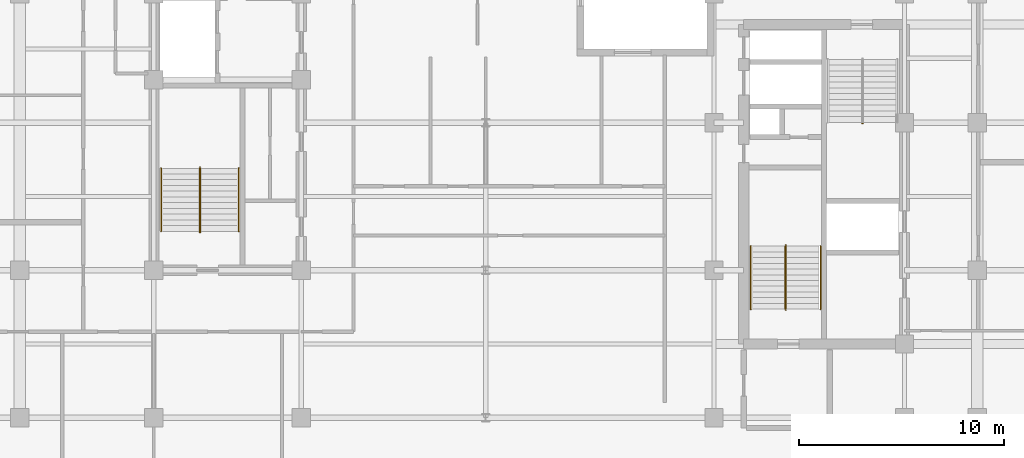
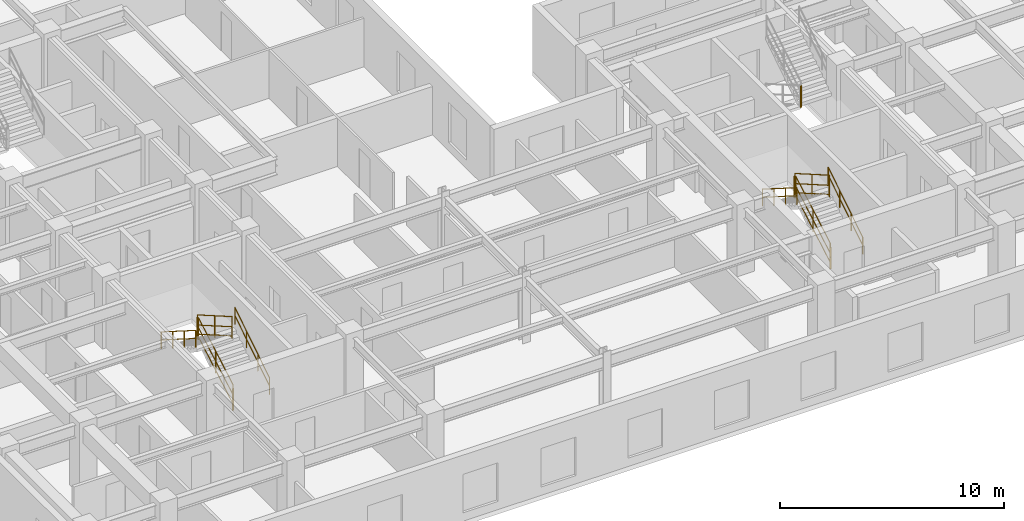
# One storey, part 9 of 11: 13 railings.
"""IFC4 building model written with IfcOpenShell, lengths in metres."""

import ifcopenshell
import ifcopenshell.guid

model = None  # the IFC model being written
_history = None  # IfcOwnerHistory: only IFC2X3 demands one
_inside = {}  # id of a spatial element -> (the spatial element, [elements in it])
_under = {}  # id of a project, library or spatial element -> (it, [spatial elements below it])
_declared = {}  # id of a project -> (the project, [libraries it declares])
_typed = {}  # id of a type object -> (the type object, [elements of that type])
_made_of = {}  # id of a material, layer set ... -> (it, [elements and type objects made of it])


def new_model(schema):
    """Start an empty IFC model of exactly this schema.

    Asked for "IFC4X3", IfcOpenShell would pick the latest addendum, in which some entities
    have other attributes; the version numbers below select the first issue.
    IFC2X3 requires an IfcOwnerHistory on every rooted entity: one is made here for all.
    """
    global model, _history
    if schema == "IFC4X3":
        model = ifcopenshell.file(schema_version=(4, 3, 0, 0))
    else:
        model = ifcopenshell.file(schema=schema)
    _inside.clear()
    _under.clear()
    _declared.clear()
    _typed.clear()
    _made_of.clear()
    _history = None
    if model.schema == "IFC2X3":
        org = make("IfcOrganization", Name="unknown")
        user = make(
            "IfcPersonAndOrganization",
            ThePerson=make("IfcPerson", FamilyName="unknown"),
            TheOrganization=org,
        )
        app = make(
            "IfcApplication",
            ApplicationDeveloper=org,
            Version="unknown",
            ApplicationFullName="unknown",
            ApplicationIdentifier="unknown",
        )
        _history = make(
            "IfcOwnerHistory",
            OwningUser=user,
            OwningApplication=app,
            ChangeAction="ADDED",
            CreationDate=0,
        )
    return model


def make(cls, **values):
    """One entity of the class cls with the attributes given. An attribute that is None is left unset."""
    return model.create_entity(
        cls, **{name: value for name, value in values.items() if value is not None}
    )


def entity(cls, *values):
    """Any entity or typed value of the class cls, its attributes in the order of the schema. None: left unset."""
    e = model.create_entity(cls)
    for i, value in enumerate(values):
        if value is not None:
            e[i] = value
    return e


def rooted(cls, **values):
    """An entity with a GlobalId (a new one), such as an element, a storey or a relation."""
    return make(cls, GlobalId=ifcopenshell.guid.new(), OwnerHistory=_history, **values)


def si_unit(unit_type, name, prefix=None):
    """IfcSIUnit, for example si_unit("LENGTHUNIT", "METRE", prefix="MILLI")."""
    return make("IfcSIUnit", UnitType=unit_type, Prefix=prefix, Name=name)


def converted_unit(unit_type, name, factor, base, dimensions=None, offset=None):
    """IfcConversionBasedUnit, such as the inch: factor (a typed value) times the base unit."""
    return make(
        "IfcConversionBasedUnit"
        if offset is None
        else "IfcConversionBasedUnitWithOffset",
        ConversionOffset=offset,
        Dimensions=None
        if dimensions is None
        else entity("IfcDimensionalExponents", *dimensions),
        UnitType=unit_type,
        Name=name,
        ConversionFactor=make(
            "IfcMeasureWithUnit", ValueComponent=factor, UnitComponent=base
        ),
    )


def assignment(units):
    """IfcUnitAssignment: the units of a project."""
    return None if units is None else make("IfcUnitAssignment", Units=units)


def point(xyz):
    """IfcCartesianPoint."""
    return None if xyz is None else make("IfcCartesianPoint", Coordinates=xyz)


def direction(xyz):
    """IfcDirection."""
    return None if xyz is None else make("IfcDirection", DirectionRatios=xyz)


def frame(location, z_axis=None, x_axis=None):
    """IfcAxis2Placement3D, a coordinate frame: its origin and axes. An axis left out is left unset."""
    return make(
        "IfcAxis2Placement3D",
        Location=point(location),
        Axis=direction(z_axis),
        RefDirection=direction(x_axis),
    )


def frame_2d(location, x_axis=None):
    """IfcAxis2Placement2D, a coordinate frame in the plane: its origin and x axis."""
    return make(
        "IfcAxis2Placement2D", Location=point(location), RefDirection=direction(x_axis)
    )


def origin_with_axes():
    """The frame at (0, 0, 0) with the z axis (0, 0, 1) and the x axis (1, 0, 0) written out."""
    return frame((0.0, 0.0, 0.0), z_axis=(0.0, 0.0, 1.0), x_axis=(1.0, 0.0, 0.0))


def origin_2d_with_axis():
    """The frame at (0, 0) in the plane with the x axis (1, 0) written out."""
    return frame_2d((0.0, 0.0), x_axis=(1.0, 0.0))


def place(relative_to, where):
    """IfcLocalPlacement: puts the frame where relative to a parent placement (None: the world)."""
    return make(
        "IfcLocalPlacement", PlacementRelTo=relative_to, RelativePlacement=where
    )


def context(
    kind, dimensions, precision=None, world=None, true_north=None, identifier=None
):
    """IfcGeometricRepresentationContext, for example the 3D "Model" context."""
    return make(
        "IfcGeometricRepresentationContext",
        ContextIdentifier=identifier,
        ContextType=kind,
        CoordinateSpaceDimension=dimensions,
        Precision=precision,
        WorldCoordinateSystem=world,
        TrueNorth=true_north,
    )


def subcontext(parent, identifier, kind, view, scale=None):
    """IfcGeometricRepresentationSubContext, for example "Body" below "Model"."""
    return make(
        "IfcGeometricRepresentationSubContext",
        ContextIdentifier=identifier,
        ContextType=kind,
        ParentContext=parent,
        TargetScale=scale,
        TargetView=view,
    )


def project(units=None, contexts=None):
    """IfcProject with its units and contexts."""
    return rooted(
        "IfcProject",
        Name="project",
        RepresentationContexts=contexts,
        UnitsInContext=assignment(units),
    )


def spatial(cls, under=None, at=None, **own):
    """A site, building, storey or space (cls), placed at a placement, below another one or the project."""
    s = rooted(cls, ObjectPlacement=at, **own)
    if under is not None:
        _under.setdefault(under.id(), (under, []))[1].append(s)
    return s


def profile(cls, at=None, kind="AREA", **sizes):
    """A parametric profile (cls). Its sizes go by their IFC names, for example OverallWidth=200.0."""
    return make(cls, ProfileType=kind, Position=at, **sizes)


def rectangle(**sizes):
    """IfcRectangleProfileDef."""
    return profile("IfcRectangleProfileDef", **sizes)


def circle(**sizes):
    """IfcCircleProfileDef."""
    return profile("IfcCircleProfileDef", **sizes)


def extrude(swept, where, along, depth):
    """IfcExtrudedAreaSolid: the profile swept, set in the frame where, extruded along a direction by depth."""
    return make(
        "IfcExtrudedAreaSolid",
        SweptArea=swept,
        Position=where,
        ExtrudedDirection=direction(along),
        Depth=depth,
    )


def shape(context_of_items, identifier, shape_type, items):
    """IfcShapeRepresentation: the items that make up one representation, for example the "Body"."""
    return make(
        "IfcShapeRepresentation",
        ContextOfItems=context_of_items,
        RepresentationIdentifier=identifier,
        RepresentationType=shape_type,
        Items=items,
    )


def material(Name=None, Category=None):
    """IfcMaterial."""
    return make("IfcMaterial", Name=Name, Category=Category)


def made_of(thing, what):
    """Note that an element or type object is made of a material, layer set ...; save() writes the relation."""
    if what is not None:
        _made_of.setdefault(what.id(), (what, []))[1].append(thing)
    return thing


def type_object(cls, material=None, **own):
    """A type object (cls), such as IfcWallType, which elements share."""
    return made_of(rooted(cls, **own), material)


def element(
    cls,
    number,
    at=None,
    inside=None,
    cuts=None,
    type_object=None,
    material=None,
    context=None,
    identifier="Body",
    shape_type=None,
    held_by="IfcProductDefinitionShape",
    body=None,
    shapes=None,
    **own,
):
    """One element of the class cls, such as IfcWall. Its Tag is "e" and its number.

    at: its placement. inside: the storey or other place that contains it. cuts: it is an
    opening in that element (IfcRelVoidsElement). A single representation is given by context,
    identifier, shape_type and body (its items); several are given by shapes. held_by: the class
    of the entity that holds the representations. save() writes the other relations.
    """
    e = rooted(cls, Tag="e%d" % number, ObjectPlacement=at, **own)
    if body is not None:
        shapes = [shape(context, identifier, shape_type, body)]
    if shapes is not None:
        e.Representation = make(held_by, Representations=shapes)
    if inside is not None:
        _inside.setdefault(inside.id(), (inside, []))[1].append(e)
    if cuts is not None:
        rooted(
            "IfcRelVoidsElement", RelatingBuildingElement=cuts, RelatedOpeningElement=e
        )
    if type_object is not None:
        _typed.setdefault(type_object.id(), (type_object, []))[1].append(e)
    return made_of(e, material)


def aggregate(whole, parts):
    """IfcRelAggregates: a whole, such as a stair, and the parts it consists of."""
    return rooted("IfcRelAggregates", RelatingObject=whole, RelatedObjects=parts)


def save(model, path):
    """Write the relations noted so far, then the file.

    IfcRelAggregates (storeys below a building ...), IfcRelContainedInSpatialStructure (elements
    in a storey), IfcRelDefinesByType, IfcRelAssociatesMaterial and IfcRelDeclares: one each for
    every whole, place, type object, material and project.
    """
    for whole, parts in _under.values():
        aggregate(whole, parts)
    for where, things in _inside.values():
        rooted(
            "IfcRelContainedInSpatialStructure",
            RelatedElements=things,
            RelatingStructure=where,
        )
    for kind, things in _typed.values():
        rooted("IfcRelDefinesByType", RelatedObjects=things, RelatingType=kind)
    for what, things in _made_of.values():
        rooted("IfcRelAssociatesMaterial", RelatedObjects=things, RelatingMaterial=what)
    for by, libraries in _declared.values():
        rooted("IfcRelDeclares", RelatingContext=by, RelatedDefinitions=libraries)
    model.write(path)


model = new_model("IFC4")

# Units and contexts
model_context = context("Model", 3, precision=1e-05, world=origin_with_axes(), true_north=direction((0.0, 1.0)))
body_context = subcontext(model_context, "Body", "Model", "MODEL_VIEW")
ifc_project = project(units=[si_unit("LENGTHUNIT", "METRE"), si_unit("AREAUNIT", "SQUARE_METRE"), si_unit("VOLUMEUNIT", "CUBIC_METRE"), converted_unit("PLANEANGLEUNIT", "DEGREE", entity("IfcPlaneAngleMeasure", 0.017453292519943295), si_unit("PLANEANGLEUNIT", "RADIAN"), dimensions=[0, 0, 0, 0, 0, 0, 0]), si_unit("MASSUNIT", "GRAM", prefix="KILO"), si_unit("THERMODYNAMICTEMPERATUREUNIT", "KELVIN")], contexts=[model_context])

# Site, building, storey
site_placement = place(None, origin_with_axes())
site = spatial("IfcSite", under=ifc_project, at=site_placement, CompositionType="ELEMENT")
building_placement = place(site_placement, origin_with_axes())
building = spatial("IfcBuilding", under=site, at=building_placement, Name="Varnlund Millrace Tower", CompositionType="ELEMENT")
storey_placement = place(building_placement, frame((0.0, 0.0, 216.0), z_axis=(0.0, 0.0, 1.0), x_axis=(1.0, 0.0, 0.0)))
storey = spatial("IfcBuildingStorey", under=building, at=storey_placement, Name="L53", CompositionType="ELEMENT", Elevation=216.0)

# Railings
ifc_material_1 = material(Name="Painted steel stair well balustrade guard", Category="steel")
railing_type_1 = type_object("IfcRailingType", Name="Type-StairGuard-1150", PredefinedType="GUARDRAIL", material=ifc_material_1)
railing_1_placement = place(storey_placement, frame((0.0, 0.0, -216.0), z_axis=(0.0, 0.0, 1.0), x_axis=(1.0, 0.0, 0.0)))
element("IfcRailing", 1, at=railing_1_placement, inside=storey, type_object=railing_type_1, Name="Type-StairGuard-1150", PredefinedType="GUARDRAIL", context=body_context, shape_type="SweptSolid", body=[
    extrude(circle(Radius=0.024, at=origin_2d_with_axis()), frame((13.675, 12.7, 217.327273), z_axis=(0.0, 0.866696, 0.498836), x_axis=(-1.0, 0.0, 0.0)), (0.0, 0.0, 1.0), 3.553725),
    extrude(circle(Radius=0.024, at=origin_2d_with_axis()), frame((13.675, 12.7, 216.277273), z_axis=(0.0, 0.866696, 0.498836), x_axis=(-1.0, 0.0, 0.0)), (0.0, 0.0, 1.0), 3.553725),
    extrude(circle(Radius=0.024, at=origin_2d_with_axis()), frame((13.675, 12.7, 216.775273), z_axis=(0.0, 0.866696, 0.498836), x_axis=(-1.0, 0.0, 0.0)), (0.0, 0.0, 1.0), 3.553725),
    extrude(rectangle(XDim=0.04, YDim=0.04, at=origin_2d_with_axis()), frame((13.675, 12.7, 216.137273), z_axis=(0.0, 0.0, 1.0), x_axis=(1.0, 0.0, 0.0)), (0.0, 0.0, 1.0), 1.19),
    extrude(rectangle(XDim=0.04, YDim=0.04, at=origin_2d_with_axis()), frame((13.675, 14.24, 217.023637), z_axis=(0.0, 0.0, 1.0), x_axis=(1.0, 0.0, 0.0)), (0.0, 0.0, 1.0), 1.19),
    extrude(rectangle(XDim=0.04, YDim=0.04, at=origin_2d_with_axis()), frame((13.675, 15.78, 217.91), z_axis=(0.0, 0.0, 1.0), x_axis=(1.0, 0.0, 0.0)), (0.0, 0.0, 1.0), 1.19),
])
railing_2_placement = place(storey_placement, frame((0.0, 0.0, -216.0), z_axis=(0.0, 0.0, 1.0), x_axis=(1.0, 0.0, 0.0)))
element("IfcRailing", 2, at=railing_2_placement, inside=storey, type_object=railing_type_1, Name="Type-StairGuard-1150", PredefinedType="GUARDRAIL", context=body_context, shape_type="SweptSolid", body=[
    extrude(circle(Radius=0.024, at=origin_2d_with_axis()), frame((13.625, 15.83, 219.1), z_axis=(1.0, 0.0, 0.0), x_axis=(0.0, 1.0, 0.0)), (0.0, 0.0, 1.0), 0.05),
    extrude(circle(Radius=0.024, at=origin_2d_with_axis()), frame((13.625, 15.83, 218.05), z_axis=(1.0, 0.0, 0.0), x_axis=(0.0, 1.0, 0.0)), (0.0, 0.0, 1.0), 0.05),
    extrude(circle(Radius=0.024, at=origin_2d_with_axis()), frame((13.625, 15.83, 218.548), z_axis=(1.0, 0.0, 0.0), x_axis=(0.0, 1.0, 0.0)), (0.0, 0.0, 1.0), 0.05),
    extrude(rectangle(XDim=0.04, YDim=0.04, at=origin_2d_with_axis()), frame((13.625, 15.83, 217.91), z_axis=(0.0, 0.0, 1.0), x_axis=(1.0, 0.0, 0.0)), (0.0, 0.0, 1.0), 1.19),
    extrude(rectangle(XDim=0.04, YDim=0.04, at=origin_2d_with_axis()), frame((13.675, 15.83, 217.91), z_axis=(0.0, 0.0, 1.0), x_axis=(1.0, 0.0, 0.0)), (0.0, 0.0, 1.0), 1.19),
])
railing_3_placement = place(storey_placement, frame((0.0, 0.0, -216.0), z_axis=(0.0, 0.0, 1.0), x_axis=(1.0, 0.0, 0.0)))
element("IfcRailing", 3, at=railing_3_placement, inside=storey, type_object=railing_type_1, Name="Type-StairGuard-1150", PredefinedType="GUARDRAIL", context=body_context, shape_type="SweptSolid", body=[
    extrude(circle(Radius=0.024, at=origin_2d_with_axis()), frame((13.625, 15.78, 219.277273), z_axis=(0.0, -0.866696, 0.498836), x_axis=(1.0, 0.0, 0.0)), (0.0, 0.0, 1.0), 3.553725),
    extrude(circle(Radius=0.024, at=origin_2d_with_axis()), frame((13.625, 15.78, 218.227273), z_axis=(0.0, -0.866696, 0.498836), x_axis=(1.0, 0.0, 0.0)), (0.0, 0.0, 1.0), 3.553725),
    extrude(circle(Radius=0.024, at=origin_2d_with_axis()), frame((13.625, 15.78, 218.725273), z_axis=(0.0, -0.866696, 0.498836), x_axis=(1.0, 0.0, 0.0)), (0.0, 0.0, 1.0), 3.553725),
    extrude(rectangle(XDim=0.04, YDim=0.04, at=origin_2d_with_axis()), frame((13.625, 15.78, 218.087273), z_axis=(0.0, 0.0, 1.0), x_axis=(1.0, 0.0, 0.0)), (0.0, 0.0, 1.0), 1.19),
    extrude(rectangle(XDim=0.04, YDim=0.04, at=origin_2d_with_axis()), frame((13.625, 14.24, 218.973637), z_axis=(0.0, 0.0, 1.0), x_axis=(1.0, 0.0, 0.0)), (0.0, 0.0, 1.0), 1.19),
    extrude(rectangle(XDim=0.04, YDim=0.04, at=origin_2d_with_axis()), frame((13.625, 12.7, 219.86), z_axis=(0.0, 0.0, 1.0), x_axis=(1.0, 0.0, 0.0)), (0.0, 0.0, 1.0), 1.19),
])
railing_4_placement = place(storey_placement, frame((0.0, 0.0, -216.0), z_axis=(0.0, 0.0, 1.0), x_axis=(1.0, 0.0, 0.0)))
element("IfcRailing", 4, at=railing_4_placement, inside=storey, type_object=railing_type_1, Name="Type-StairGuard-1150", PredefinedType="GUARDRAIL", context=body_context, shape_type="SweptSolid", body=[
    extrude(circle(Radius=0.024, at=origin_2d_with_axis()), frame((13.625, 12.65, 217.15), z_axis=(1.0, 0.0, 0.0), x_axis=(0.0, 1.0, 0.0)), (0.0, 0.0, 1.0), 0.05),
    extrude(circle(Radius=0.024, at=origin_2d_with_axis()), frame((13.625, 12.65, 216.1), z_axis=(1.0, 0.0, 0.0), x_axis=(0.0, 1.0, 0.0)), (0.0, 0.0, 1.0), 0.05),
    extrude(circle(Radius=0.024, at=origin_2d_with_axis()), frame((13.625, 12.65, 216.598), z_axis=(1.0, 0.0, 0.0), x_axis=(0.0, 1.0, 0.0)), (0.0, 0.0, 1.0), 0.05),
    extrude(rectangle(XDim=0.04, YDim=0.04, at=origin_2d_with_axis()), frame((13.625, 12.65, 215.96), z_axis=(0.0, 0.0, 1.0), x_axis=(1.0, 0.0, 0.0)), (0.0, 0.0, 1.0), 1.19),
    extrude(rectangle(XDim=0.04, YDim=0.04, at=origin_2d_with_axis()), frame((13.675, 12.65, 215.96), z_axis=(0.0, 0.0, 1.0), x_axis=(1.0, 0.0, 0.0)), (0.0, 0.0, 1.0), 1.19),
])
railing_5_placement = place(storey_placement, frame((0.0, 0.0, -216.0), z_axis=(0.0, 0.0, 1.0), x_axis=(1.0, 0.0, 0.0)))
element("IfcRailing", 5, at=railing_5_placement, inside=storey, type_object=railing_type_1, Name="Type-StairGuard-1150", PredefinedType="GUARDRAIL", context=body_context, shape_type="SweptSolid", body=[
    extrude(circle(Radius=0.024, at=origin_2d_with_axis()), frame((42.275, 8.9, 217.327273), z_axis=(0.0, 0.866696, 0.498836), x_axis=(-1.0, 0.0, 0.0)), (0.0, 0.0, 1.0), 3.553725),
    extrude(circle(Radius=0.024, at=origin_2d_with_axis()), frame((42.275, 8.9, 216.277273), z_axis=(0.0, 0.866696, 0.498836), x_axis=(-1.0, 0.0, 0.0)), (0.0, 0.0, 1.0), 3.553725),
    extrude(circle(Radius=0.024, at=origin_2d_with_axis()), frame((42.275, 8.9, 216.775273), z_axis=(0.0, 0.866696, 0.498836), x_axis=(-1.0, 0.0, 0.0)), (0.0, 0.0, 1.0), 3.553725),
    extrude(rectangle(XDim=0.04, YDim=0.04, at=origin_2d_with_axis()), frame((42.275, 8.9, 216.137273), z_axis=(0.0, 0.0, 1.0), x_axis=(1.0, 0.0, 0.0)), (0.0, 0.0, 1.0), 1.19),
    extrude(rectangle(XDim=0.04, YDim=0.04, at=origin_2d_with_axis()), frame((42.275, 10.44, 217.023637), z_axis=(0.0, 0.0, 1.0), x_axis=(1.0, 0.0, 0.0)), (0.0, 0.0, 1.0), 1.19),
    extrude(rectangle(XDim=0.04, YDim=0.04, at=origin_2d_with_axis()), frame((42.275, 11.98, 217.91), z_axis=(0.0, 0.0, 1.0), x_axis=(1.0, 0.0, 0.0)), (0.0, 0.0, 1.0), 1.19),
])
railing_6_placement = place(storey_placement, frame((0.0, 0.0, -216.0), z_axis=(0.0, 0.0, 1.0), x_axis=(1.0, 0.0, 0.0)))
element("IfcRailing", 6, at=railing_6_placement, inside=storey, type_object=railing_type_1, Name="Type-StairGuard-1150", PredefinedType="GUARDRAIL", context=body_context, shape_type="SweptSolid", body=[
    extrude(circle(Radius=0.024, at=origin_2d_with_axis()), frame((42.225, 12.03, 219.1), z_axis=(1.0, 0.0, 0.0), x_axis=(0.0, 1.0, 0.0)), (0.0, 0.0, 1.0), 0.05),
    extrude(circle(Radius=0.024, at=origin_2d_with_axis()), frame((42.225, 12.03, 218.05), z_axis=(1.0, 0.0, 0.0), x_axis=(0.0, 1.0, 0.0)), (0.0, 0.0, 1.0), 0.05),
    extrude(circle(Radius=0.024, at=origin_2d_with_axis()), frame((42.225, 12.03, 218.548), z_axis=(1.0, 0.0, 0.0), x_axis=(0.0, 1.0, 0.0)), (0.0, 0.0, 1.0), 0.05),
    extrude(rectangle(XDim=0.04, YDim=0.04, at=origin_2d_with_axis()), frame((42.225, 12.03, 217.91), z_axis=(0.0, 0.0, 1.0), x_axis=(1.0, 0.0, 0.0)), (0.0, 0.0, 1.0), 1.19),
    extrude(rectangle(XDim=0.04, YDim=0.04, at=origin_2d_with_axis()), frame((42.275, 12.03, 217.91), z_axis=(0.0, 0.0, 1.0), x_axis=(1.0, 0.0, 0.0)), (0.0, 0.0, 1.0), 1.19),
])
railing_7_placement = place(storey_placement, frame((0.0, 0.0, -216.0), z_axis=(0.0, 0.0, 1.0), x_axis=(1.0, 0.0, 0.0)))
element("IfcRailing", 7, at=railing_7_placement, inside=storey, type_object=railing_type_1, Name="Type-StairGuard-1150", PredefinedType="GUARDRAIL", context=body_context, shape_type="SweptSolid", body=[
    extrude(circle(Radius=0.024, at=origin_2d_with_axis()), frame((42.225, 11.98, 219.277273), z_axis=(0.0, -0.866696, 0.498836), x_axis=(1.0, 0.0, 0.0)), (0.0, 0.0, 1.0), 3.553725),
    extrude(circle(Radius=0.024, at=origin_2d_with_axis()), frame((42.225, 11.98, 218.227273), z_axis=(0.0, -0.866696, 0.498836), x_axis=(1.0, 0.0, 0.0)), (0.0, 0.0, 1.0), 3.553725),
    extrude(circle(Radius=0.024, at=origin_2d_with_axis()), frame((42.225, 11.98, 218.725273), z_axis=(0.0, -0.866696, 0.498836), x_axis=(1.0, 0.0, 0.0)), (0.0, 0.0, 1.0), 3.553725),
    extrude(rectangle(XDim=0.04, YDim=0.04, at=origin_2d_with_axis()), frame((42.225, 11.98, 218.087273), z_axis=(0.0, 0.0, 1.0), x_axis=(1.0, 0.0, 0.0)), (0.0, 0.0, 1.0), 1.19),
    extrude(rectangle(XDim=0.04, YDim=0.04, at=origin_2d_with_axis()), frame((42.225, 10.44, 218.973637), z_axis=(0.0, 0.0, 1.0), x_axis=(1.0, 0.0, 0.0)), (0.0, 0.0, 1.0), 1.19),
    extrude(rectangle(XDim=0.04, YDim=0.04, at=origin_2d_with_axis()), frame((42.225, 8.9, 219.86), z_axis=(0.0, 0.0, 1.0), x_axis=(1.0, 0.0, 0.0)), (0.0, 0.0, 1.0), 1.19),
])
railing_8_placement = place(storey_placement, frame((0.0, 0.0, -216.0), z_axis=(0.0, 0.0, 1.0), x_axis=(1.0, 0.0, 0.0)))
element("IfcRailing", 8, at=railing_8_placement, inside=storey, type_object=railing_type_1, Name="Type-StairGuard-1150", PredefinedType="GUARDRAIL", context=body_context, shape_type="SweptSolid", body=[
    extrude(circle(Radius=0.024, at=origin_2d_with_axis()), frame((42.225, 8.85, 217.15), z_axis=(1.0, 0.0, 0.0), x_axis=(0.0, 1.0, 0.0)), (0.0, 0.0, 1.0), 0.05),
    extrude(circle(Radius=0.024, at=origin_2d_with_axis()), frame((42.225, 8.85, 216.1), z_axis=(1.0, 0.0, 0.0), x_axis=(0.0, 1.0, 0.0)), (0.0, 0.0, 1.0), 0.05),
    extrude(circle(Radius=0.024, at=origin_2d_with_axis()), frame((42.225, 8.85, 216.598), z_axis=(1.0, 0.0, 0.0), x_axis=(0.0, 1.0, 0.0)), (0.0, 0.0, 1.0), 0.05),
    extrude(rectangle(XDim=0.04, YDim=0.04, at=origin_2d_with_axis()), frame((42.225, 8.85, 215.96), z_axis=(0.0, 0.0, 1.0), x_axis=(1.0, 0.0, 0.0)), (0.0, 0.0, 1.0), 1.19),
    extrude(rectangle(XDim=0.04, YDim=0.04, at=origin_2d_with_axis()), frame((42.275, 8.85, 215.96), z_axis=(0.0, 0.0, 1.0), x_axis=(1.0, 0.0, 0.0)), (0.0, 0.0, 1.0), 1.19),
])
railing_9_placement = place(storey_placement, frame((0.0, 0.0, -216.0), z_axis=(0.0, 0.0, 1.0), x_axis=(1.0, 0.0, 0.0)))
element("IfcRailing", 9, at=railing_9_placement, inside=storey, type_object=railing_type_1, Name="Type-StairGuard-1150", PredefinedType="GUARDRAIL", context=body_context, shape_type="SweptSolid", body=[
    extrude(circle(Radius=0.024, at=origin_2d_with_axis()), frame((46.025, 17.97, 219.1), z_axis=(-1.0, 0.0, 0.0), x_axis=(0.0, -1.0, 0.0)), (0.0, 0.0, 1.0), 0.05),
    extrude(circle(Radius=0.024, at=origin_2d_with_axis()), frame((46.025, 17.97, 218.05), z_axis=(-1.0, 0.0, 0.0), x_axis=(0.0, -1.0, 0.0)), (0.0, 0.0, 1.0), 0.05),
    extrude(circle(Radius=0.024, at=origin_2d_with_axis()), frame((46.025, 17.97, 218.548), z_axis=(-1.0, 0.0, 0.0), x_axis=(0.0, -1.0, 0.0)), (0.0, 0.0, 1.0), 0.05),
    extrude(rectangle(XDim=0.04, YDim=0.04, at=origin_2d_with_axis()), frame((46.025, 17.97, 217.91), z_axis=(0.0, 0.0, 1.0), x_axis=(1.0, 0.0, 0.0)), (0.0, 0.0, 1.0), 1.19),
    extrude(rectangle(XDim=0.04, YDim=0.04, at=origin_2d_with_axis()), frame((45.975, 17.97, 217.91), z_axis=(0.0, 0.0, 1.0), x_axis=(1.0, 0.0, 0.0)), (0.0, 0.0, 1.0), 1.19),
])
ifc_material_2 = material(Name="Brushed architectural bronze stair handrail", Category="aluminium")
railing_type_2 = type_object("IfcRailingType", Name="Type-StairHandrail-900", PredefinedType="HANDRAIL", material=ifc_material_2)
railing_10_placement = place(storey_placement, frame((0.0, 0.0, -216.0), z_axis=(0.0, 0.0, 1.0), x_axis=(1.0, 0.0, 0.0)))
element("IfcRailing", 10, at=railing_10_placement, inside=storey, type_object=railing_type_2, Name="Type-StairHandrail-900", PredefinedType="HANDRAIL", context=body_context, shape_type="SweptSolid", body=[
    extrude(circle(Radius=0.024, at=origin_2d_with_axis()), frame((15.55, 12.7, 217.056995), z_axis=(0.0, 0.844902, 0.534922), x_axis=(-1.0, 0.0, 0.0)), (0.0, 0.0, 1.0), 3.645394),
    extrude(circle(Radius=0.024, at=origin_2d_with_axis()), frame((15.55, 12.7, 216.617134), z_axis=(0.0, 0.844902, 0.534922), x_axis=(-1.0, 0.0, 0.0)), (0.0, 0.0, 1.0), 3.645394),
    extrude(rectangle(XDim=0.04, YDim=0.04, at=origin_2d_with_axis()), frame((15.55, 12.7, 216.137273), z_axis=(0.0, 0.0, 1.0), x_axis=(1.0, 0.0, 0.0)), (0.0, 0.0, 1.0), 0.919722),
    extrude(rectangle(XDim=0.04, YDim=0.04, at=origin_2d_with_axis()), frame((15.55, 13.726667, 216.787273), z_axis=(0.0, 0.0, 1.0), x_axis=(1.0, 0.0, 0.0)), (0.0, 0.0, 1.0), 0.919722),
    extrude(rectangle(XDim=0.04, YDim=0.04, at=origin_2d_with_axis()), frame((15.55, 14.753333, 217.437273), z_axis=(0.0, 0.0, 1.0), x_axis=(1.0, 0.0, 0.0)), (0.0, 0.0, 1.0), 0.919722),
    extrude(rectangle(XDim=0.04, YDim=0.04, at=origin_2d_with_axis()), frame((15.55, 15.78, 218.087273), z_axis=(0.0, 0.0, 1.0), x_axis=(1.0, 0.0, 0.0)), (0.0, 0.0, 1.0), 0.919722),
])
railing_11_placement = place(storey_placement, frame((0.0, 0.0, -216.0), z_axis=(0.0, 0.0, 1.0), x_axis=(1.0, 0.0, 0.0)))
element("IfcRailing", 11, at=railing_11_placement, inside=storey, type_object=railing_type_2, Name="Type-StairHandrail-900", PredefinedType="HANDRAIL", context=body_context, shape_type="SweptSolid", body=[
    extrude(circle(Radius=0.024, at=origin_2d_with_axis()), frame((11.75, 15.78, 219.006995), z_axis=(0.0, -0.844902, 0.534922), x_axis=(1.0, 0.0, 0.0)), (0.0, 0.0, 1.0), 3.645394),
    extrude(circle(Radius=0.024, at=origin_2d_with_axis()), frame((11.75, 15.78, 218.567134), z_axis=(0.0, -0.844902, 0.534922), x_axis=(1.0, 0.0, 0.0)), (0.0, 0.0, 1.0), 3.645394),
    extrude(rectangle(XDim=0.04, YDim=0.04, at=origin_2d_with_axis()), frame((11.75, 15.78, 218.087273), z_axis=(0.0, 0.0, 1.0), x_axis=(1.0, 0.0, 0.0)), (0.0, 0.0, 1.0), 0.919722),
    extrude(rectangle(XDim=0.04, YDim=0.04, at=origin_2d_with_axis()), frame((11.75, 14.753333, 218.737273), z_axis=(0.0, 0.0, 1.0), x_axis=(1.0, 0.0, 0.0)), (0.0, 0.0, 1.0), 0.919722),
    extrude(rectangle(XDim=0.04, YDim=0.04, at=origin_2d_with_axis()), frame((11.75, 13.726667, 219.387273), z_axis=(0.0, 0.0, 1.0), x_axis=(1.0, 0.0, 0.0)), (0.0, 0.0, 1.0), 0.919722),
    extrude(rectangle(XDim=0.04, YDim=0.04, at=origin_2d_with_axis()), frame((11.75, 12.7, 220.037273), z_axis=(0.0, 0.0, 1.0), x_axis=(1.0, 0.0, 0.0)), (0.0, 0.0, 1.0), 0.919722),
])
railing_12_placement = place(storey_placement, frame((0.0, 0.0, -216.0), z_axis=(0.0, 0.0, 1.0), x_axis=(1.0, 0.0, 0.0)))
element("IfcRailing", 12, at=railing_12_placement, inside=storey, type_object=railing_type_2, Name="Type-StairHandrail-900", PredefinedType="HANDRAIL", context=body_context, shape_type="SweptSolid", body=[
    extrude(circle(Radius=0.024, at=origin_2d_with_axis()), frame((43.95, 8.9, 217.056995), z_axis=(0.0, 0.844902, 0.534922), x_axis=(-1.0, 0.0, 0.0)), (0.0, 0.0, 1.0), 3.645394),
    extrude(circle(Radius=0.024, at=origin_2d_with_axis()), frame((43.95, 8.9, 216.617134), z_axis=(0.0, 0.844902, 0.534922), x_axis=(-1.0, 0.0, 0.0)), (0.0, 0.0, 1.0), 3.645394),
    extrude(rectangle(XDim=0.04, YDim=0.04, at=origin_2d_with_axis()), frame((43.95, 8.9, 216.137273), z_axis=(0.0, 0.0, 1.0), x_axis=(1.0, 0.0, 0.0)), (0.0, 0.0, 1.0), 0.919722),
    extrude(rectangle(XDim=0.04, YDim=0.04, at=origin_2d_with_axis()), frame((43.95, 9.926667, 216.787273), z_axis=(0.0, 0.0, 1.0), x_axis=(1.0, 0.0, 0.0)), (0.0, 0.0, 1.0), 0.919722),
    extrude(rectangle(XDim=0.04, YDim=0.04, at=origin_2d_with_axis()), frame((43.95, 10.953333, 217.437273), z_axis=(0.0, 0.0, 1.0), x_axis=(1.0, 0.0, 0.0)), (0.0, 0.0, 1.0), 0.919722),
    extrude(rectangle(XDim=0.04, YDim=0.04, at=origin_2d_with_axis()), frame((43.95, 11.98, 218.087273), z_axis=(0.0, 0.0, 1.0), x_axis=(1.0, 0.0, 0.0)), (0.0, 0.0, 1.0), 0.919722),
])
railing_13_placement = place(storey_placement, frame((0.0, 0.0, -216.0), z_axis=(0.0, 0.0, 1.0), x_axis=(1.0, 0.0, 0.0)))
element("IfcRailing", 13, at=railing_13_placement, inside=storey, type_object=railing_type_2, Name="Type-StairHandrail-900", PredefinedType="HANDRAIL", context=body_context, shape_type="SweptSolid", body=[
    extrude(circle(Radius=0.024, at=origin_2d_with_axis()), frame((40.55, 11.98, 219.006995), z_axis=(0.0, -0.844902, 0.534922), x_axis=(1.0, 0.0, 0.0)), (0.0, 0.0, 1.0), 3.645394),
    extrude(circle(Radius=0.024, at=origin_2d_with_axis()), frame((40.55, 11.98, 218.567134), z_axis=(0.0, -0.844902, 0.534922), x_axis=(1.0, 0.0, 0.0)), (0.0, 0.0, 1.0), 3.645394),
    extrude(rectangle(XDim=0.04, YDim=0.04, at=origin_2d_with_axis()), frame((40.55, 11.98, 218.087273), z_axis=(0.0, 0.0, 1.0), x_axis=(1.0, 0.0, 0.0)), (0.0, 0.0, 1.0), 0.919722),
    extrude(rectangle(XDim=0.04, YDim=0.04, at=origin_2d_with_axis()), frame((40.55, 10.953333, 218.737273), z_axis=(0.0, 0.0, 1.0), x_axis=(1.0, 0.0, 0.0)), (0.0, 0.0, 1.0), 0.919722),
    extrude(rectangle(XDim=0.04, YDim=0.04, at=origin_2d_with_axis()), frame((40.55, 9.926667, 219.387273), z_axis=(0.0, 0.0, 1.0), x_axis=(1.0, 0.0, 0.0)), (0.0, 0.0, 1.0), 0.919722),
    extrude(rectangle(XDim=0.04, YDim=0.04, at=origin_2d_with_axis()), frame((40.55, 8.9, 220.037273), z_axis=(0.0, 0.0, 1.0), x_axis=(1.0, 0.0, 0.0)), (0.0, 0.0, 1.0), 0.919722),
])

save(model, "model.ifc")
